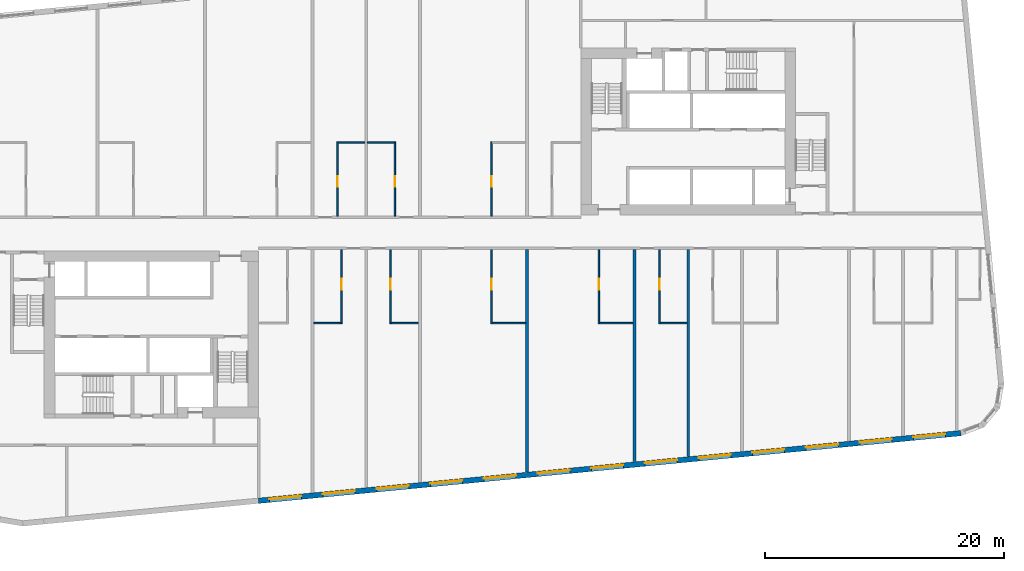
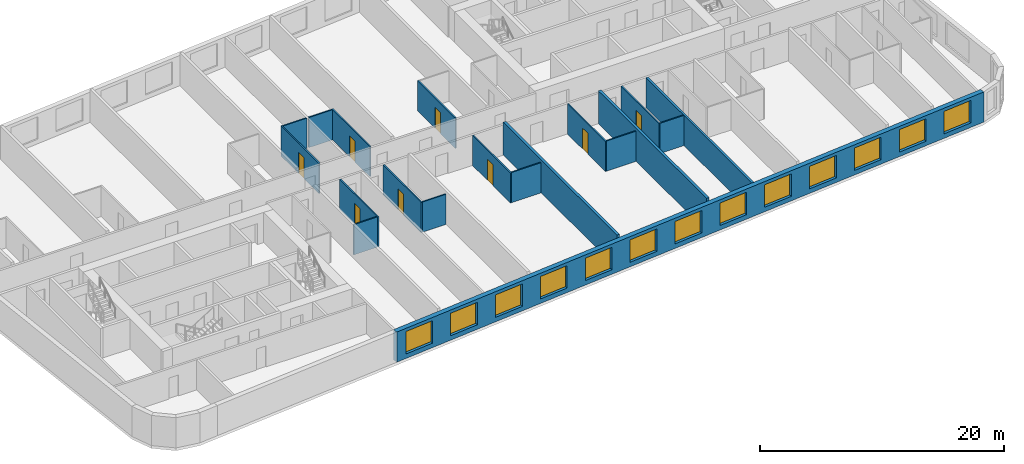
# One storey, part 4 of 12: 19 walls, 13 windows, 8 doors, 21 openings.
"""IFC4 building model written with IfcOpenShell, lengths in metres."""

from ifc_helpers import new_model, si_unit, direction, frame, frame_2d, origin, place, context, subcontext, project, spatial, rectangle, extrude, material, layer, layer_set, type_object, element, fill, save


model = new_model("IFC4")

# Units and contexts
model_context = context("Model", 3, precision=1e-05, world=origin(), true_north=direction((0.0, 1.0)))
body_context = subcontext(model_context, "Body", "Model", "MODEL_VIEW")
ifc_project = project(units=[si_unit("LENGTHUNIT", "METRE"), si_unit("AREAUNIT", "SQUARE_METRE"), si_unit("VOLUMEUNIT", "CUBIC_METRE"), si_unit("PLANEANGLEUNIT", "RADIAN"), si_unit("MASSUNIT", "GRAM", prefix="KILO")], contexts=[model_context])

# Site, building, storey
site_placement = place(None, origin())
site = spatial("IfcSite", under=ifc_project, at=site_placement, CompositionType="ELEMENT")
building_placement = place(site_placement, origin())
building = spatial("IfcBuilding", under=site, at=building_placement, Name="Kajstack Hotel Tower", CompositionType="ELEMENT")
storey_placement = place(building_placement, frame((0.0, 0.0, 137.199951171875)))
storey = spatial("IfcBuildingStorey", under=building, at=storey_placement, Name="L31", CompositionType="ELEMENT", Elevation=137.199951171875)

# Wall
ifc_material_1 = material(Name="Twin-frame gypsum board on steel studs, mineral wool", Category="steel")
ifc_layer_1 = layer(ifc_material_1, 0.199951171875)
ifc_layer_set_1 = layer_set([ifc_layer_1], Name="Demising wall 200")
wall_type_1 = type_object("IfcWallType", Name="Demising wall 200", PredefinedType="PARTITIONING", material=ifc_layer_set_1)
wall_1_placement = place(storey_placement, frame((22.5, -18.76611328125, 0.0), z_axis=(0.0, 0.0, 1.0), x_axis=(0.0, 1.0, 0.0)))
element("IfcWall", 1, at=wall_1_placement, inside=storey, type_object=wall_type_1, Name="G-wall-L31-033", PredefinedType="PARTITIONING", context=body_context, shape_type="SweptSolid", body=[
    extrude(rectangle(XDim=17.3662109375, YDim=0.199951171875, at=frame_2d((8.68310546875, 0.0))), origin(), (0.0, 0.0, 1.0), 3.02001953125),
])

# Wall, openings, windows
ifc_material_2 = material(Name="Terracotta-faced brick masonry", Category="masonry")
ifc_layer_2 = layer(ifc_material_2, 0.449951171875)
ifc_layer_set_2 = layer_set([ifc_layer_2], Name="EW-TERRA")
wall_type_2 = type_object("IfcWallType", Name="EW-TERRA", PredefinedType="SOLIDWALL", material=ifc_layer_set_2)
wall_2_placement = place(storey_placement, frame((-13.521484375, -22.46044921875, 0.0), z_axis=(0.0, 0.0, 1.0), x_axis=(0.995396096335, 0.095846812164, 0.0)))
wall_2 = element("IfcWall", 2, at=wall_2_placement, inside=storey, type_object=wall_type_2, Name="E-wall-L31-04-02", PredefinedType="SOLIDWALL", context=body_context, shape_type="SweptSolid", body=[
    extrude(rectangle(XDim=59.15087890625, YDim=0.449951171875, at=frame_2d((29.575439453125, 0.0))), origin(), (0.0, 0.0, 1.0), 3.02001953125),
])
opening_1_placement = place(wall_2_placement, frame((0.910400390625, 0.0, 0.449951171875)))
opening_1 = element("IfcOpeningElement", 3, at=opening_1_placement, cuts=wall_2, Name="Opening W1", PredefinedType="OPENING", context=body_context, shape_type="SweptSolid", body=[
    extrude(rectangle(XDim=2.699951171875, YDim=2.25, at=frame_2d((1.35009765625, 1.125))), frame((0.0, 0.23486328125, 0.0), z_axis=(0.0, -1.0, 0.0), x_axis=(1.0, 0.0, 0.0)), (0.0, 0.0, 1.0), 0.469970703125),
])
opening_2_placement = place(wall_2_placement, frame((5.43115234375, 0.0, 0.449951171875)))
opening_2 = element("IfcOpeningElement", 4, at=opening_2_placement, cuts=wall_2, Name="Opening W1", PredefinedType="OPENING", context=body_context, shape_type="SweptSolid", body=[
    extrude(rectangle(XDim=2.699951171875, YDim=2.25, at=frame_2d((1.35009765625, 1.125))), frame((0.0, 0.23486328125, 0.0), z_axis=(0.0, -1.0, 0.0), x_axis=(1.0, 0.0, 0.0)), (0.0, 0.0, 1.0), 0.469970703125),
])
opening_3_placement = place(wall_2_placement, frame((9.951904296875, 0.0, 0.449951171875)))
opening_3 = element("IfcOpeningElement", 5, at=opening_3_placement, cuts=wall_2, Name="Opening W1", PredefinedType="OPENING", context=body_context, shape_type="SweptSolid", body=[
    extrude(rectangle(XDim=2.699951171875, YDim=2.25, at=frame_2d((1.35009765625, 1.125))), frame((0.0, 0.23486328125, 0.0), z_axis=(0.0, -1.0, 0.0), x_axis=(1.0, 0.0, 0.0)), (0.0, 0.0, 1.0), 0.469970703125),
])
opening_4_placement = place(wall_2_placement, frame((14.472900390625, 0.0, 0.449951171875)))
opening_4 = element("IfcOpeningElement", 6, at=opening_4_placement, cuts=wall_2, Name="Opening W1", PredefinedType="OPENING", context=body_context, shape_type="SweptSolid", body=[
    extrude(rectangle(XDim=2.699951171875, YDim=2.25, at=frame_2d((1.35009765625, 1.125))), frame((0.0, 0.23486328125, 0.0), z_axis=(0.0, -1.0, 0.0), x_axis=(1.0, 0.0, 0.0)), (0.0, 0.0, 1.0), 0.469970703125),
])
opening_5_placement = place(wall_2_placement, frame((18.99365234375, 0.0, 0.449951171875)))
opening_5 = element("IfcOpeningElement", 7, at=opening_5_placement, cuts=wall_2, Name="Opening W1", PredefinedType="OPENING", context=body_context, shape_type="SweptSolid", body=[
    extrude(rectangle(XDim=2.699951171875, YDim=2.25, at=frame_2d((1.35009765625, 1.125))), frame((0.0, 0.23486328125, 0.0), z_axis=(0.0, -1.0, 0.0), x_axis=(1.0, 0.0, 0.0)), (0.0, 0.0, 1.0), 0.469970703125),
])
opening_6_placement = place(wall_2_placement, frame((23.514404296875, 0.0, 0.449951171875)))
opening_6 = element("IfcOpeningElement", 8, at=opening_6_placement, cuts=wall_2, Name="Opening W1", PredefinedType="OPENING", context=body_context, shape_type="SweptSolid", body=[
    extrude(rectangle(XDim=2.699951171875, YDim=2.25, at=frame_2d((1.35009765625, 1.125))), frame((0.0, 0.23486328125, 0.0), z_axis=(0.0, -1.0, 0.0), x_axis=(1.0, 0.0, 0.0)), (0.0, 0.0, 1.0), 0.469970703125),
])
opening_7_placement = place(wall_2_placement, frame((28.035400390625, 0.0, 0.449951171875)))
opening_7 = element("IfcOpeningElement", 9, at=opening_7_placement, cuts=wall_2, Name="Opening W1", PredefinedType="OPENING", context=body_context, shape_type="SweptSolid", body=[
    extrude(rectangle(XDim=2.699951171875, YDim=2.25, at=frame_2d((1.35009765625, 1.125))), frame((0.0, 0.23486328125, 0.0), z_axis=(0.0, -1.0, 0.0), x_axis=(1.0, 0.0, 0.0)), (0.0, 0.0, 1.0), 0.469970703125),
])
opening_8_placement = place(wall_2_placement, frame((32.55615234375, 0.0, 0.449951171875)))
opening_8 = element("IfcOpeningElement", 10, at=opening_8_placement, cuts=wall_2, Name="Opening W1", PredefinedType="OPENING", context=body_context, shape_type="SweptSolid", body=[
    extrude(rectangle(XDim=2.699951171875, YDim=2.25, at=frame_2d((1.35009765625, 1.125))), frame((0.0, 0.23486328125, 0.0), z_axis=(0.0, -1.0, 0.0), x_axis=(1.0, 0.0, 0.0)), (0.0, 0.0, 1.0), 0.469970703125),
])
opening_9_placement = place(wall_2_placement, frame((37.076904296875, 0.0, 0.449951171875)))
opening_9 = element("IfcOpeningElement", 11, at=opening_9_placement, cuts=wall_2, Name="Opening W1", PredefinedType="OPENING", context=body_context, shape_type="SweptSolid", body=[
    extrude(rectangle(XDim=2.699951171875, YDim=2.25, at=frame_2d((1.35009765625, 1.125))), frame((0.0, 0.23486328125, 0.0), z_axis=(0.0, -1.0, 0.0), x_axis=(1.0, 0.0, 0.0)), (0.0, 0.0, 1.0), 0.469970703125),
])
opening_10_placement = place(wall_2_placement, frame((41.59765625, 0.0, 0.449951171875)))
opening_10 = element("IfcOpeningElement", 12, at=opening_10_placement, cuts=wall_2, Name="Opening W1", PredefinedType="OPENING", context=body_context, shape_type="SweptSolid", body=[
    extrude(rectangle(XDim=2.699951171875, YDim=2.25, at=frame_2d((1.35009765625, 1.125))), frame((0.0, 0.23486328125, 0.0), z_axis=(0.0, -1.0, 0.0), x_axis=(1.0, 0.0, 0.0)), (0.0, 0.0, 1.0), 0.469970703125),
])
opening_11_placement = place(wall_2_placement, frame((46.118408203125, 0.0, 0.449951171875)))
opening_11 = element("IfcOpeningElement", 13, at=opening_11_placement, cuts=wall_2, Name="Opening W1", PredefinedType="OPENING", context=body_context, shape_type="SweptSolid", body=[
    extrude(rectangle(XDim=2.699951171875, YDim=2.25, at=frame_2d((1.35009765625, 1.125))), frame((0.0, 0.23486328125, 0.0), z_axis=(0.0, -1.0, 0.0), x_axis=(1.0, 0.0, 0.0)), (0.0, 0.0, 1.0), 0.469970703125),
])
opening_12_placement = place(wall_2_placement, frame((50.639404296875, 0.0, 0.449951171875)))
opening_12 = element("IfcOpeningElement", 14, at=opening_12_placement, cuts=wall_2, Name="Opening W1", PredefinedType="OPENING", context=body_context, shape_type="SweptSolid", body=[
    extrude(rectangle(XDim=2.699951171875, YDim=2.25, at=frame_2d((1.35009765625, 1.125))), frame((0.0, 0.23486328125, 0.0), z_axis=(0.0, -1.0, 0.0), x_axis=(1.0, 0.0, 0.0)), (0.0, 0.0, 1.0), 0.469970703125),
])
opening_13_placement = place(wall_2_placement, frame((55.149658203125, 0.0, 0.449951171875)))
opening_13 = element("IfcOpeningElement", 15, at=opening_13_placement, cuts=wall_2, Name="Opening W1", PredefinedType="OPENING", context=body_context, shape_type="SweptSolid", body=[
    extrude(rectangle(XDim=2.699951171875, YDim=2.25, at=frame_2d((1.35009765625, 1.125))), frame((0.0, 0.23486328125, 0.0), z_axis=(0.0, -1.0, 0.0), x_axis=(1.0, 0.0, 0.0)), (0.0, 0.0, 1.0), 0.469970703125),
])
ifc_material_3 = material(Name="Timber-aluminium window, triple glazed", Category="wood")
window_type = type_object("IfcWindowType", Name="WG1", PartitioningType="SINGLE_PANEL", PredefinedType="WINDOW", material=ifc_material_3)
window_1_placement = place(opening_1_placement, origin())
window_1 = element("IfcWindow", 16, at=window_1_placement, inside=storey, type_object=window_type, Name="Window W1 L31-04", OverallHeight=2.25, OverallWidth=2.699951171875, PartitioningType="SINGLE_PANEL", PredefinedType="WINDOW", context=body_context, shape_type="SweptSolid", body=[
    extrude(rectangle(XDim=2.699951171875, YDim=2.25, at=frame_2d((1.35009765625, 1.125))), frame((0.0, 0.090087890625, 0.0), z_axis=(0.0, -1.0, 0.0), x_axis=(1.0, 0.0, 0.0)), (0.0, 0.0, 1.0), 0.06005859375),
])
fill(opening_1, window_1)
window_2_placement = place(opening_2_placement, origin())
window_2 = element("IfcWindow", 17, at=window_2_placement, inside=storey, type_object=window_type, Name="Window W1 L31-04", OverallHeight=2.25, OverallWidth=2.699951171875, PartitioningType="SINGLE_PANEL", PredefinedType="WINDOW", context=body_context, shape_type="SweptSolid", body=[
    extrude(rectangle(XDim=2.699951171875, YDim=2.25, at=frame_2d((1.35009765625, 1.125))), frame((0.0, 0.090087890625, 0.0), z_axis=(0.0, -1.0, 0.0), x_axis=(1.0, 0.0, 0.0)), (0.0, 0.0, 1.0), 0.06005859375),
])
fill(opening_2, window_2)
window_3_placement = place(opening_3_placement, origin())
window_3 = element("IfcWindow", 18, at=window_3_placement, inside=storey, type_object=window_type, Name="Window W1 L31-04", OverallHeight=2.25, OverallWidth=2.699951171875, PartitioningType="SINGLE_PANEL", PredefinedType="WINDOW", context=body_context, shape_type="SweptSolid", body=[
    extrude(rectangle(XDim=2.699951171875, YDim=2.25, at=frame_2d((1.35009765625, 1.125))), frame((0.0, 0.090087890625, 0.0), z_axis=(0.0, -1.0, 0.0), x_axis=(1.0, 0.0, 0.0)), (0.0, 0.0, 1.0), 0.06005859375),
])
fill(opening_3, window_3)
window_4_placement = place(opening_4_placement, origin())
window_4 = element("IfcWindow", 19, at=window_4_placement, inside=storey, type_object=window_type, Name="Window W1 L31-04", OverallHeight=2.25, OverallWidth=2.699951171875, PartitioningType="SINGLE_PANEL", PredefinedType="WINDOW", context=body_context, shape_type="SweptSolid", body=[
    extrude(rectangle(XDim=2.699951171875, YDim=2.25, at=frame_2d((1.35009765625, 1.125))), frame((0.0, 0.090087890625, 0.0), z_axis=(0.0, -1.0, 0.0), x_axis=(1.0, 0.0, 0.0)), (0.0, 0.0, 1.0), 0.06005859375),
])
fill(opening_4, window_4)
window_5_placement = place(opening_5_placement, origin())
window_5 = element("IfcWindow", 20, at=window_5_placement, inside=storey, type_object=window_type, Name="Window W1 L31-04", OverallHeight=2.25, OverallWidth=2.699951171875, PartitioningType="SINGLE_PANEL", PredefinedType="WINDOW", context=body_context, shape_type="SweptSolid", body=[
    extrude(rectangle(XDim=2.699951171875, YDim=2.25, at=frame_2d((1.35009765625, 1.125))), frame((0.0, 0.090087890625, 0.0), z_axis=(0.0, -1.0, 0.0), x_axis=(1.0, 0.0, 0.0)), (0.0, 0.0, 1.0), 0.06005859375),
])
fill(opening_5, window_5)
window_6_placement = place(opening_6_placement, origin())
window_6 = element("IfcWindow", 21, at=window_6_placement, inside=storey, type_object=window_type, Name="Window W1 L31-04", OverallHeight=2.25, OverallWidth=2.699951171875, PartitioningType="SINGLE_PANEL", PredefinedType="WINDOW", context=body_context, shape_type="SweptSolid", body=[
    extrude(rectangle(XDim=2.699951171875, YDim=2.25, at=frame_2d((1.35009765625, 1.125))), frame((0.0, 0.090087890625, 0.0), z_axis=(0.0, -1.0, 0.0), x_axis=(1.0, 0.0, 0.0)), (0.0, 0.0, 1.0), 0.06005859375),
])
fill(opening_6, window_6)
window_7_placement = place(opening_7_placement, origin())
window_7 = element("IfcWindow", 22, at=window_7_placement, inside=storey, type_object=window_type, Name="Window W1 L31-04", OverallHeight=2.25, OverallWidth=2.699951171875, PartitioningType="SINGLE_PANEL", PredefinedType="WINDOW", context=body_context, shape_type="SweptSolid", body=[
    extrude(rectangle(XDim=2.699951171875, YDim=2.25, at=frame_2d((1.35009765625, 1.125))), frame((0.0, 0.090087890625, 0.0), z_axis=(0.0, -1.0, 0.0), x_axis=(1.0, 0.0, 0.0)), (0.0, 0.0, 1.0), 0.06005859375),
])
fill(opening_7, window_7)
window_8_placement = place(opening_8_placement, origin())
window_8 = element("IfcWindow", 23, at=window_8_placement, inside=storey, type_object=window_type, Name="Window W1 L31-04", OverallHeight=2.25, OverallWidth=2.699951171875, PartitioningType="SINGLE_PANEL", PredefinedType="WINDOW", context=body_context, shape_type="SweptSolid", body=[
    extrude(rectangle(XDim=2.699951171875, YDim=2.25, at=frame_2d((1.35009765625, 1.125))), frame((0.0, 0.090087890625, 0.0), z_axis=(0.0, -1.0, 0.0), x_axis=(1.0, 0.0, 0.0)), (0.0, 0.0, 1.0), 0.06005859375),
])
fill(opening_8, window_8)
window_9_placement = place(opening_9_placement, origin())
window_9 = element("IfcWindow", 24, at=window_9_placement, inside=storey, type_object=window_type, Name="Window W1 L31-04", OverallHeight=2.25, OverallWidth=2.699951171875, PartitioningType="SINGLE_PANEL", PredefinedType="WINDOW", context=body_context, shape_type="SweptSolid", body=[
    extrude(rectangle(XDim=2.699951171875, YDim=2.25, at=frame_2d((1.35009765625, 1.125))), frame((0.0, 0.090087890625, 0.0), z_axis=(0.0, -1.0, 0.0), x_axis=(1.0, 0.0, 0.0)), (0.0, 0.0, 1.0), 0.06005859375),
])
fill(opening_9, window_9)
window_10_placement = place(opening_10_placement, origin())
window_10 = element("IfcWindow", 25, at=window_10_placement, inside=storey, type_object=window_type, Name="Window W1 L31-04", OverallHeight=2.25, OverallWidth=2.699951171875, PartitioningType="SINGLE_PANEL", PredefinedType="WINDOW", context=body_context, shape_type="SweptSolid", body=[
    extrude(rectangle(XDim=2.699951171875, YDim=2.25, at=frame_2d((1.35009765625, 1.125))), frame((0.0, 0.090087890625, 0.0), z_axis=(0.0, -1.0, 0.0), x_axis=(1.0, 0.0, 0.0)), (0.0, 0.0, 1.0), 0.06005859375),
])
fill(opening_10, window_10)
window_11_placement = place(opening_11_placement, origin())
window_11 = element("IfcWindow", 26, at=window_11_placement, inside=storey, type_object=window_type, Name="Window W1 L31-04", OverallHeight=2.25, OverallWidth=2.699951171875, PartitioningType="SINGLE_PANEL", PredefinedType="WINDOW", context=body_context, shape_type="SweptSolid", body=[
    extrude(rectangle(XDim=2.699951171875, YDim=2.25, at=frame_2d((1.35009765625, 1.125))), frame((0.0, 0.090087890625, 0.0), z_axis=(0.0, -1.0, 0.0), x_axis=(1.0, 0.0, 0.0)), (0.0, 0.0, 1.0), 0.06005859375),
])
fill(opening_11, window_11)
window_12_placement = place(opening_12_placement, origin())
window_12 = element("IfcWindow", 27, at=window_12_placement, inside=storey, type_object=window_type, Name="Window W1 L31-04", OverallHeight=2.25, OverallWidth=2.699951171875, PartitioningType="SINGLE_PANEL", PredefinedType="WINDOW", context=body_context, shape_type="SweptSolid", body=[
    extrude(rectangle(XDim=2.699951171875, YDim=2.25, at=frame_2d((1.35009765625, 1.125))), frame((0.0, 0.090087890625, 0.0), z_axis=(0.0, -1.0, 0.0), x_axis=(1.0, 0.0, 0.0)), (0.0, 0.0, 1.0), 0.06005859375),
])
fill(opening_12, window_12)
window_13_placement = place(opening_13_placement, origin())
window_13 = element("IfcWindow", 28, at=window_13_placement, inside=storey, type_object=window_type, Name="Window W1 L31-04", OverallHeight=2.25, OverallWidth=2.699951171875, PartitioningType="SINGLE_PANEL", PredefinedType="WINDOW", context=body_context, shape_type="SweptSolid", body=[
    extrude(rectangle(XDim=2.699951171875, YDim=2.25, at=frame_2d((1.35009765625, 1.125))), frame((0.0, 0.090087890625, 0.0), z_axis=(0.0, -1.0, 0.0), x_axis=(1.0, 0.0, 0.0)), (0.0, 0.0, 1.0), 0.06005859375),
])
fill(opening_13, window_13)

# Wall, opening, door
ifc_material_4 = material(Name="Gypsum board and tiled backer on steel studs", Category="steel")
ifc_layer_3 = layer(ifc_material_4, 0.125)
ifc_layer_set_3 = layer_set([ifc_layer_3], Name="En-suite wall 125")
wall_type_3 = type_object("IfcWallType", Name="En-suite wall 125", PredefinedType="PARTITIONING", material=ifc_layer_set_3)
wall_3_placement = place(storey_placement, frame((-6.912109375, 1.39990234375, 0.0), z_axis=(0.0, 0.0, 1.0), x_axis=(0.0, 1.0, 0.0)))
wall_3 = element("IfcWall", 29, at=wall_3_placement, inside=storey, type_object=wall_type_3, Name="G-wall-L31-013", PredefinedType="PARTITIONING", context=body_context, shape_type="SweptSolid", body=[
    extrude(rectangle(XDim=6.22509765625, YDim=0.125, at=frame_2d((3.112548828125, 0.0))), origin(), (0.0, 0.0, 1.0), 3.02001953125),
])
opening_14_placement = place(wall_3_placement, frame((2.449951171875, 0.0, 0.0)))
opening_14 = element("IfcOpeningElement", 30, at=opening_14_placement, cuts=wall_3, Name="Opening 31010", PredefinedType="OPENING", context=body_context, shape_type="SweptSolid", body=[
    extrude(rectangle(XDim=0.89990234375, YDim=2.10009765625, at=frame_2d((0.449951171875, 1.050048828125))), frame((0.0, 0.072509765625, 0.0), z_axis=(0.0, -1.0, 0.0), x_axis=(1.0, 0.0, 0.0)), (0.0, 0.0, 1.0), 0.14501953125),
])
ifc_material_5 = material(Name="Painted timber door leaf", Category="wood")
door_type = type_object("IfcDoorType", Name="Room door 900", OperationType="SINGLE_SWING_LEFT", PredefinedType="DOOR", material=ifc_material_5)
door_1_placement = place(opening_14_placement, origin())
door_1 = element("IfcDoor", 31, at=door_1_placement, inside=storey, type_object=door_type, Name="G-door-L31-10", OperationType="SINGLE_SWING_RIGHT", OverallHeight=2.10009765625, OverallWidth=0.89990234375, PredefinedType="DOOR", context=body_context, shape_type="SweptSolid", body=[
    extrude(rectangle(XDim=0.89990234375, YDim=2.10009765625, at=frame_2d((0.449951171875, 1.050048828125))), frame((0.0, 0.02490234375, 0.0), z_axis=(0.0, -1.0, 0.0), x_axis=(1.0, 0.0, 0.0)), (0.0, 0.0, 1.0), 0.050048828125),
])
fill(opening_14, door_1)

# Wall
wall_4_placement = place(storey_placement, frame((-6.85009765625, 7.56201171875, 0.0), z_axis=(0.0, 0.0, 1.0), x_axis=(1.0, 0.0, 0.0)))
element("IfcWall", 32, at=wall_4_placement, inside=storey, type_object=wall_type_3, Name="G-wall-L31-014", PredefinedType="PARTITIONING", context=body_context, shape_type="SweptSolid", body=[
    extrude(rectangle(XDim=2.25, YDim=0.125, at=frame_2d((1.125, 0.0))), origin(), (0.0, 0.0, 1.0), 3.02001953125),
])

# Wall, opening, door
wall_5_placement = place(storey_placement, frame((-2.0869140625, 1.39990234375, 0.0), z_axis=(0.0, 0.0, 1.0), x_axis=(0.0, 1.0, 0.0)))
wall_5 = element("IfcWall", 33, at=wall_5_placement, inside=storey, type_object=wall_type_3, Name="G-wall-L31-015", PredefinedType="PARTITIONING", context=body_context, shape_type="SweptSolid", body=[
    extrude(rectangle(XDim=6.22509765625, YDim=0.125, at=frame_2d((3.112548828125, 0.0))), origin(), (0.0, 0.0, 1.0), 3.02001953125),
])
opening_15_placement = place(wall_5_placement, frame((2.449951171875, 0.0, 0.0)))
opening_15 = element("IfcOpeningElement", 34, at=opening_15_placement, cuts=wall_5, Name="Opening 31012", PredefinedType="OPENING", context=body_context, shape_type="SweptSolid", body=[
    extrude(rectangle(XDim=0.89990234375, YDim=2.10009765625, at=frame_2d((0.449951171875, 1.050048828125))), frame((0.0, 0.072509765625, 0.0), z_axis=(0.0, -1.0, 0.0), x_axis=(1.0, 0.0, 0.0)), (0.0, 0.0, 1.0), 0.14501953125),
])
door_2_placement = place(opening_15_placement, origin())
door_2 = element("IfcDoor", 35, at=door_2_placement, inside=storey, type_object=door_type, Name="G-door-L31-12", OperationType="SINGLE_SWING_LEFT", OverallHeight=2.10009765625, OverallWidth=0.89990234375, PredefinedType="DOOR", context=body_context, shape_type="SweptSolid", body=[
    extrude(rectangle(XDim=0.89990234375, YDim=2.10009765625, at=frame_2d((0.449951171875, 1.050048828125))), frame((0.0, 0.02490234375, 0.0), z_axis=(0.0, -1.0, 0.0), x_axis=(1.0, 0.0, 0.0)), (0.0, 0.0, 1.0), 0.050048828125),
])
fill(opening_15, door_2)

# Wall
wall_6_placement = place(storey_placement, frame((-4.39990234375, 7.56201171875, 0.0), z_axis=(0.0, 0.0, 1.0), x_axis=(1.0, 0.0, 0.0)))
element("IfcWall", 36, at=wall_6_placement, inside=storey, type_object=wall_type_3, Name="G-wall-L31-016", PredefinedType="PARTITIONING", context=body_context, shape_type="SweptSolid", body=[
    extrude(rectangle(XDim=2.25, YDim=0.125, at=frame_2d((1.125, 0.0))), origin(), (0.0, 0.0, 1.0), 3.02001953125),
])

# Wall, opening, door
wall_7_placement = place(storey_placement, frame((6.012939453125, 1.39990234375, 0.0), z_axis=(0.0, 0.0, 1.0), x_axis=(0.0, 1.0, 0.0)))
wall_7 = element("IfcWall", 37, at=wall_7_placement, inside=storey, type_object=wall_type_3, Name="G-wall-L31-017", PredefinedType="PARTITIONING", context=body_context, shape_type="SweptSolid", body=[
    extrude(rectangle(XDim=6.22509765625, YDim=0.125, at=frame_2d((3.112548828125, 0.0))), origin(), (0.0, 0.0, 1.0), 3.02001953125),
])
opening_16_placement = place(wall_7_placement, frame((2.449951171875, 0.0, 0.0)))
opening_16 = element("IfcOpeningElement", 38, at=opening_16_placement, cuts=wall_7, Name="Opening 31014", PredefinedType="OPENING", context=body_context, shape_type="SweptSolid", body=[
    extrude(rectangle(XDim=0.89990234375, YDim=2.10009765625, at=frame_2d((0.449951171875, 1.050048828125))), frame((0.0, 0.072509765625, 0.0), z_axis=(0.0, -1.0, 0.0), x_axis=(1.0, 0.0, 0.0)), (0.0, 0.0, 1.0), 0.14501953125),
])
door_3_placement = place(opening_16_placement, origin())
door_3 = element("IfcDoor", 39, at=door_3_placement, inside=storey, type_object=door_type, Name="G-door-L31-14", OperationType="SINGLE_SWING_RIGHT", OverallHeight=2.10009765625, OverallWidth=0.89990234375, PredefinedType="DOOR", context=body_context, shape_type="SweptSolid", body=[
    extrude(rectangle(XDim=0.89990234375, YDim=2.10009765625, at=frame_2d((0.449951171875, 1.050048828125))), frame((0.0, 0.02490234375, 0.0), z_axis=(0.0, -1.0, 0.0), x_axis=(1.0, 0.0, 0.0)), (0.0, 0.0, 1.0), 0.050048828125),
])
fill(opening_16, door_3)

wall_8_placement = place(storey_placement, frame((-6.56201171875, -7.625, 0.0), z_axis=(0.0, 0.0, 1.0), x_axis=(0.0, 1.0, 0.0)))
wall_8 = element("IfcWall", 40, at=wall_8_placement, inside=storey, type_object=wall_type_3, Name="G-wall-L31-025", PredefinedType="PARTITIONING", context=body_context, shape_type="SweptSolid", body=[
    extrude(rectangle(XDim=6.22509765625, YDim=0.125, at=frame_2d((3.112548828125, 0.0))), origin(), (0.0, 0.0, 1.0), 3.02001953125),
])
opening_17_placement = place(wall_8_placement, frame((2.875, 0.0, 0.0)))
opening_17 = element("IfcOpeningElement", 41, at=opening_17_placement, cuts=wall_8, Name="Opening 31020", PredefinedType="OPENING", context=body_context, shape_type="SweptSolid", body=[
    extrude(rectangle(XDim=0.89990234375, YDim=2.10009765625, at=frame_2d((0.449951171875, 1.050048828125))), frame((0.0, 0.072509765625, 0.0), z_axis=(0.0, -1.0, 0.0), x_axis=(1.0, 0.0, 0.0)), (0.0, 0.0, 1.0), 0.14501953125),
])
door_4_placement = place(opening_17_placement, origin())
door_4 = element("IfcDoor", 42, at=door_4_placement, inside=storey, type_object=door_type, Name="G-door-L31-20", OperationType="SINGLE_SWING_RIGHT", OverallHeight=2.10009765625, OverallWidth=0.89990234375, PredefinedType="DOOR", context=body_context, shape_type="SweptSolid", body=[
    extrude(rectangle(XDim=0.89990234375, YDim=2.10009765625, at=frame_2d((0.449951171875, 1.050048828125))), frame((0.0, 0.02490234375, 0.0), z_axis=(0.0, -1.0, 0.0), x_axis=(1.0, 0.0, 0.0)), (0.0, 0.0, 1.0), 0.050048828125),
])
fill(opening_17, door_4)

# Wall
wall_9_placement = place(storey_placement, frame((-8.875, -7.56201171875, 0.0), z_axis=(0.0, 0.0, 1.0), x_axis=(1.0, 0.0, 0.0)))
element("IfcWall", 43, at=wall_9_placement, inside=storey, type_object=wall_type_3, Name="G-wall-L31-026", PredefinedType="PARTITIONING", context=body_context, shape_type="SweptSolid", body=[
    extrude(rectangle(XDim=2.25, YDim=0.125, at=frame_2d((1.125, 0.0))), origin(), (0.0, 0.0, 1.0), 3.02001953125),
])

# Wall, opening, door
wall_10_placement = place(storey_placement, frame((-2.43798828125, -7.625, 0.0), z_axis=(0.0, 0.0, 1.0), x_axis=(0.0, 1.0, 0.0)))
wall_10 = element("IfcWall", 44, at=wall_10_placement, inside=storey, type_object=wall_type_3, Name="G-wall-L31-027", PredefinedType="PARTITIONING", context=body_context, shape_type="SweptSolid", body=[
    extrude(rectangle(XDim=6.22509765625, YDim=0.125, at=frame_2d((3.112548828125, 0.0))), origin(), (0.0, 0.0, 1.0), 3.02001953125),
])
opening_18_placement = place(wall_10_placement, frame((2.875, 0.0, 0.0)))
opening_18 = element("IfcOpeningElement", 45, at=opening_18_placement, cuts=wall_10, Name="Opening 31022", PredefinedType="OPENING", context=body_context, shape_type="SweptSolid", body=[
    extrude(rectangle(XDim=0.89990234375, YDim=2.10009765625, at=frame_2d((0.449951171875, 1.050048828125))), frame((0.0, 0.072509765625, 0.0), z_axis=(0.0, -1.0, 0.0), x_axis=(1.0, 0.0, 0.0)), (0.0, 0.0, 1.0), 0.14501953125),
])
door_5_placement = place(opening_18_placement, origin())
door_5 = element("IfcDoor", 46, at=door_5_placement, inside=storey, type_object=door_type, Name="G-door-L31-22", OperationType="SINGLE_SWING_RIGHT", OverallHeight=2.10009765625, OverallWidth=0.89990234375, PredefinedType="DOOR", context=body_context, shape_type="SweptSolid", body=[
    extrude(rectangle(XDim=0.89990234375, YDim=2.10009765625, at=frame_2d((0.449951171875, 1.050048828125))), frame((0.0, 0.02490234375, 0.0), z_axis=(0.0, -1.0, 0.0), x_axis=(1.0, 0.0, 0.0)), (0.0, 0.0, 1.0), 0.050048828125),
])
fill(opening_18, door_5)

# Wall
wall_11_placement = place(storey_placement, frame((-2.375, -7.56201171875, 0.0), z_axis=(0.0, 0.0, 1.0), x_axis=(1.0, 0.0, 0.0)))
element("IfcWall", 47, at=wall_11_placement, inside=storey, type_object=wall_type_3, Name="G-wall-L31-028", PredefinedType="PARTITIONING", context=body_context, shape_type="SweptSolid", body=[
    extrude(rectangle(XDim=2.25, YDim=0.125, at=frame_2d((1.125, 0.0))), origin(), (0.0, 0.0, 1.0), 3.02001953125),
])

# Wall, opening, door
wall_12_placement = place(storey_placement, frame((6.012939453125, -7.625, 0.0), z_axis=(0.0, 0.0, 1.0), x_axis=(0.0, 1.0, 0.0)))
wall_12 = element("IfcWall", 48, at=wall_12_placement, inside=storey, type_object=wall_type_3, Name="G-wall-L31-029", PredefinedType="PARTITIONING", context=body_context, shape_type="SweptSolid", body=[
    extrude(rectangle(XDim=6.22509765625, YDim=0.125, at=frame_2d((3.112548828125, 0.0))), origin(), (0.0, 0.0, 1.0), 3.02001953125),
])
opening_19_placement = place(wall_12_placement, frame((2.875, 0.0, 0.0)))
opening_19 = element("IfcOpeningElement", 49, at=opening_19_placement, cuts=wall_12, Name="Opening 31024", PredefinedType="OPENING", context=body_context, shape_type="SweptSolid", body=[
    extrude(rectangle(XDim=0.89990234375, YDim=2.10009765625, at=frame_2d((0.449951171875, 1.050048828125))), frame((0.0, 0.072509765625, 0.0), z_axis=(0.0, -1.0, 0.0), x_axis=(1.0, 0.0, 0.0)), (0.0, 0.0, 1.0), 0.14501953125),
])
door_6_placement = place(opening_19_placement, origin())
door_6 = element("IfcDoor", 50, at=door_6_placement, inside=storey, type_object=door_type, Name="G-door-L31-24", OperationType="SINGLE_SWING_LEFT", OverallHeight=2.10009765625, OverallWidth=0.89990234375, PredefinedType="DOOR", context=body_context, shape_type="SweptSolid", body=[
    extrude(rectangle(XDim=0.89990234375, YDim=2.10009765625, at=frame_2d((0.449951171875, 1.050048828125))), frame((0.0, 0.02490234375, 0.0), z_axis=(0.0, -1.0, 0.0), x_axis=(1.0, 0.0, 0.0)), (0.0, 0.0, 1.0), 0.050048828125),
])
fill(opening_19, door_6)

# Wall
wall_13_placement = place(storey_placement, frame((6.074951171875, -7.56201171875, 0.0), z_axis=(0.0, 0.0, 1.0), x_axis=(1.0, 0.0, 0.0)))
element("IfcWall", 51, at=wall_13_placement, inside=storey, type_object=wall_type_3, Name="G-wall-L31-030", PredefinedType="PARTITIONING", context=body_context, shape_type="SweptSolid", body=[
    extrude(rectangle(XDim=2.800048828125, YDim=0.125, at=frame_2d((1.39990234375, 0.0))), origin(), (0.0, 0.0, 1.0), 3.02001953125),
])

# Wall, opening, door
wall_14_placement = place(storey_placement, frame((15.011962890625, -7.625, 0.0), z_axis=(0.0, 0.0, 1.0), x_axis=(0.0, 1.0, 0.0)))
wall_14 = element("IfcWall", 52, at=wall_14_placement, inside=storey, type_object=wall_type_3, Name="G-wall-L31-031", PredefinedType="PARTITIONING", context=body_context, shape_type="SweptSolid", body=[
    extrude(rectangle(XDim=6.22509765625, YDim=0.125, at=frame_2d((3.112548828125, 0.0))), origin(), (0.0, 0.0, 1.0), 3.02001953125),
])
opening_20_placement = place(wall_14_placement, frame((2.875, 0.0, 0.0)))
opening_20 = element("IfcOpeningElement", 53, at=opening_20_placement, cuts=wall_14, Name="Opening 31026", PredefinedType="OPENING", context=body_context, shape_type="SweptSolid", body=[
    extrude(rectangle(XDim=0.89990234375, YDim=2.10009765625, at=frame_2d((0.449951171875, 1.050048828125))), frame((0.0, 0.072509765625, 0.0), z_axis=(0.0, -1.0, 0.0), x_axis=(1.0, 0.0, 0.0)), (0.0, 0.0, 1.0), 0.14501953125),
])
door_7_placement = place(opening_20_placement, origin())
door_7 = element("IfcDoor", 54, at=door_7_placement, inside=storey, type_object=door_type, Name="G-door-L31-26", OperationType="SINGLE_SWING_RIGHT", OverallHeight=2.10009765625, OverallWidth=0.89990234375, PredefinedType="DOOR", context=body_context, shape_type="SweptSolid", body=[
    extrude(rectangle(XDim=0.89990234375, YDim=2.10009765625, at=frame_2d((0.449951171875, 1.050048828125))), frame((0.0, 0.02490234375, 0.0), z_axis=(0.0, -1.0, 0.0), x_axis=(1.0, 0.0, 0.0)), (0.0, 0.0, 1.0), 0.050048828125),
])
fill(opening_20, door_7)

# Wall
wall_15_placement = place(storey_placement, frame((15.074951171875, -7.56201171875, 0.0), z_axis=(0.0, 0.0, 1.0), x_axis=(1.0, 0.0, 0.0)))
element("IfcWall", 55, at=wall_15_placement, inside=storey, type_object=wall_type_3, Name="G-wall-L31-032", PredefinedType="PARTITIONING", context=body_context, shape_type="SweptSolid", body=[
    extrude(rectangle(XDim=2.800048828125, YDim=0.125, at=frame_2d((1.39990234375, 0.0))), origin(), (0.0, 0.0, 1.0), 3.02001953125),
])

# Wall, opening, door
wall_16_placement = place(storey_placement, frame((20.0869140625, -7.625, 0.0), z_axis=(0.0, 0.0, 1.0), x_axis=(0.0, 1.0, 0.0)))
wall_16 = element("IfcWall", 56, at=wall_16_placement, inside=storey, type_object=wall_type_3, Name="G-wall-L31-034", PredefinedType="PARTITIONING", context=body_context, shape_type="SweptSolid", body=[
    extrude(rectangle(XDim=6.22509765625, YDim=0.125, at=frame_2d((3.112548828125, 0.0))), origin(), (0.0, 0.0, 1.0), 3.02001953125),
])
opening_21_placement = place(wall_16_placement, frame((2.875, 0.0, 0.0)))
opening_21 = element("IfcOpeningElement", 57, at=opening_21_placement, cuts=wall_16, Name="Opening 31028", PredefinedType="OPENING", context=body_context, shape_type="SweptSolid", body=[
    extrude(rectangle(XDim=0.89990234375, YDim=2.10009765625, at=frame_2d((0.449951171875, 1.050048828125))), frame((0.0, 0.072509765625, 0.0), z_axis=(0.0, -1.0, 0.0), x_axis=(1.0, 0.0, 0.0)), (0.0, 0.0, 1.0), 0.14501953125),
])
door_8_placement = place(opening_21_placement, origin())
door_8 = element("IfcDoor", 58, at=door_8_placement, inside=storey, type_object=door_type, Name="G-door-L31-28", OperationType="SINGLE_SWING_RIGHT", OverallHeight=2.10009765625, OverallWidth=0.89990234375, PredefinedType="DOOR", context=body_context, shape_type="SweptSolid", body=[
    extrude(rectangle(XDim=0.89990234375, YDim=2.10009765625, at=frame_2d((0.449951171875, 1.050048828125))), frame((0.0, 0.02490234375, 0.0), z_axis=(0.0, -1.0, 0.0), x_axis=(1.0, 0.0, 0.0)), (0.0, 0.0, 1.0), 0.050048828125),
])
fill(opening_21, door_8)

# Walls
wall_17_placement = place(storey_placement, frame((20.14990234375, -7.56201171875, 0.0), z_axis=(0.0, 0.0, 1.0), x_axis=(1.0, 0.0, 0.0)))
element("IfcWall", 59, at=wall_17_placement, inside=storey, type_object=wall_type_3, Name="G-wall-L31-035", PredefinedType="PARTITIONING", context=body_context, shape_type="SweptSolid", body=[
    extrude(rectangle(XDim=2.25, YDim=0.125, at=frame_2d((1.125, 0.0))), origin(), (0.0, 0.0, 1.0), 3.02001953125),
])
ifc_material_6 = material(Name="Concrete C55/67", Category="concrete")
ifc_layer_4 = layer(ifc_material_6, 0.25)
ifc_layer_set_4 = layer_set([ifc_layer_4], Name="RC cross wall 250 C55/67")
wall_type_4 = type_object("IfcWallType", Name="RC cross wall 250 C55/67", PredefinedType="SHEAR", material=ifc_layer_set_4)
wall_18_placement = place(storey_placement, frame((9.0, -20.043701171875, 0.0), z_axis=(0.0, 0.0, 1.0), x_axis=(0.0, 1.0, 0.0)))
element("IfcWall", 60, at=wall_18_placement, inside=storey, type_object=wall_type_4, Name="S-wall-L31-08", PredefinedType="SHEAR", context=body_context, shape_type="SweptSolid", body=[
    extrude(rectangle(XDim=18.643798828125, YDim=0.25, at=frame_2d((9.32177734375, 0.0))), origin(), (0.0, 0.0, 1.0), 3.300048828125),
])
wall_19_placement = place(storey_placement, frame((18.0, -19.17724609375, 0.0), z_axis=(0.0, 0.0, 1.0), x_axis=(0.0, 1.0, 0.0)))
element("IfcWall", 61, at=wall_19_placement, inside=storey, type_object=wall_type_4, Name="S-wall-L31-10", PredefinedType="SHEAR", context=body_context, shape_type="SweptSolid", body=[
    extrude(rectangle(XDim=17.77734375, YDim=0.25, at=frame_2d((8.888671875, 0.0))), origin(), (0.0, 0.0, 1.0), 3.300048828125),
])

save(model, "model.ifc")
